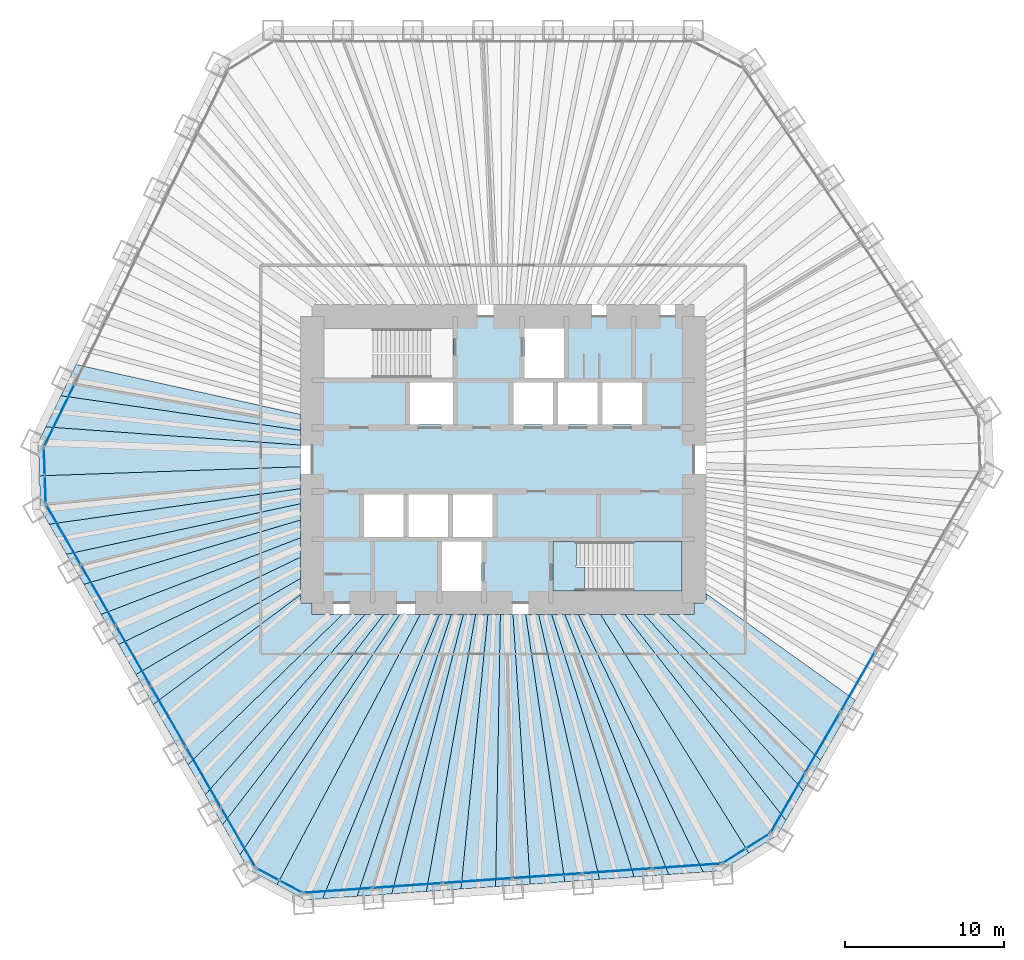
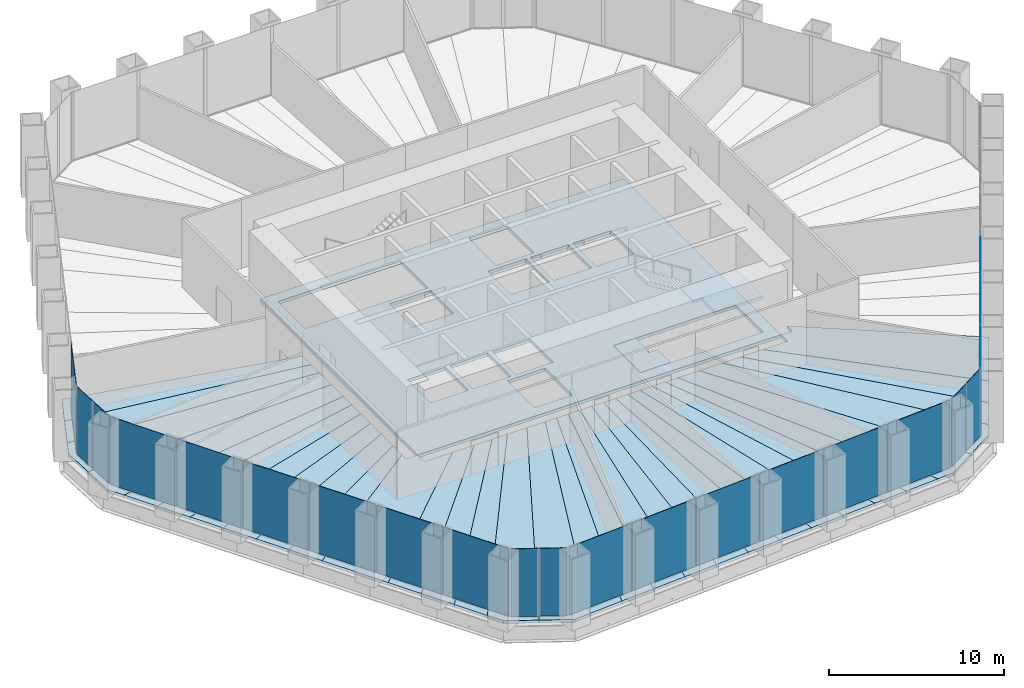
# One storey, part 8 of 13: 35 slabs, 22 plates, 8 elements without a shape of their own.
"""IFC4 building model written with IfcOpenShell, lengths in metres."""

from ifc_helpers import new_model, si_unit, direction, frame, origin, origin_2d, place, context, subcontext, project, spatial, polyline, rectangle, outline, extrude, material, layer, layer_set, type_object, element, aggregate, save


model = new_model("IFC4")

# Units and contexts
model_context = context("Model", 3, precision=1e-05, world=origin(), true_north=direction((0.0, 1.0)))
body_context = subcontext(model_context, "Body", "Model", "MODEL_VIEW")
ifc_project = project(units=[si_unit("LENGTHUNIT", "METRE"), si_unit("AREAUNIT", "SQUARE_METRE"), si_unit("VOLUMEUNIT", "CUBIC_METRE"), si_unit("PLANEANGLEUNIT", "RADIAN"), si_unit("MASSUNIT", "GRAM", prefix="KILO")], contexts=[model_context])

# Site, building, storey
site_placement = place(None, origin())
site = spatial("IfcSite", under=ifc_project, at=site_placement, CompositionType="ELEMENT")
building_placement = place(site_placement, origin())
building = spatial("IfcBuilding", under=site, at=building_placement, Name="Qingtian Harvest Tower", CompositionType="ELEMENT")
storey_placement = place(building_placement, frame((0.0, 0.0, 32.0)))
storey = spatial("IfcBuildingStorey", under=building, at=storey_placement, Name="L06", CompositionType="ELEMENT", Elevation=32.0)

# Slabs
ifc_material_1 = material(Name="Concrete fc' 35 MPa", Category="concrete")
ifc_layer_1 = layer(ifc_material_1, 0.199951171875)
ifc_layer_set_1 = layer_set([ifc_layer_1], Name="Composite floor slab FS20 200")
slab_type_1 = type_object("IfcSlabType", Name="Composite floor slab FS20 200", PredefinedType="FLOOR", material=ifc_layer_set_1)
slab_1_placement = place(storey_placement, frame((0.0, 0.0, -0.199951171875)))
element("IfcSlab", 1, at=slab_1_placement, inside=storey, type_object=slab_type_1, Name="Floor slab L06 panel D01", PredefinedType="FLOOR", context=body_context, shape_type="SweptSolid", body=[
    extrude(outline(polyline([(-29.157470703125, -1.018310546875), (-12.75, -0.447509765625), (-12.75, -1.822998046875), (-28.548583984375, -4.062255859375), (-29.08349609375, -3.135986328125), (-29.157470703125, -1.018310546875)])), origin(), (0.0, 0.0, 1.0), 0.199951171875),
])
slab_2_placement = place(storey_placement, frame((0.0, 0.0, -0.199951171875)))
element("IfcSlab", 2, at=slab_2_placement, inside=storey, type_object=slab_type_1, Name="Floor slab L06 panel D02", PredefinedType="FLOOR", context=body_context, shape_type="SweptSolid", body=[
    extrude(outline(polyline([(-12.75, -2.773681640625), (-27.45751953125, -5.9521484375), (-28.548583984375, -4.062255859375), (-12.75, -1.822998046875), (-12.75, -2.773681640625)])), origin(), (0.0, 0.0, 1.0), 0.199951171875),
])
slab_3_placement = place(storey_placement, frame((0.0, 0.0, -0.199951171875)))
element("IfcSlab", 3, at=slab_3_placement, inside=storey, type_object=slab_type_1, Name="Floor slab L06 panel D03", PredefinedType="FLOOR", context=body_context, shape_type="SweptSolid", body=[
    extrude(outline(polyline([(-12.75, -3.80322265625), (-26.366455078125, -7.842041015625), (-27.45751953125, -5.9521484375), (-12.75, -2.773681640625), (-12.75, -3.80322265625)])), origin(), (0.0, 0.0, 1.0), 0.199951171875),
])
slab_4_placement = place(storey_placement, frame((0.0, 0.0, -0.199951171875)))
element("IfcSlab", 4, at=slab_4_placement, inside=storey, type_object=slab_type_1, Name="Floor slab L06 panel D04", PredefinedType="FLOOR", context=body_context, shape_type="SweptSolid", body=[
    extrude(outline(polyline([(-12.75, -4.921875), (-25.275146484375, -9.732177734375), (-26.366455078125, -7.842041015625), (-12.75, -3.80322265625), (-12.75, -4.921875)])), origin(), (0.0, 0.0, 1.0), 0.199951171875),
])
slab_5_placement = place(storey_placement, frame((0.0, 0.0, -0.199951171875)))
element("IfcSlab", 5, at=slab_5_placement, inside=storey, type_object=slab_type_1, Name="Floor slab L06 panel D05", PredefinedType="FLOOR", context=body_context, shape_type="SweptSolid", body=[
    extrude(outline(polyline([(-12.75, -6.141357421875), (-24.18408203125, -11.6220703125), (-25.275146484375, -9.732177734375), (-12.75, -4.921875), (-12.75, -6.141357421875)])), origin(), (0.0, 0.0, 1.0), 0.199951171875),
])
slab_6_placement = place(storey_placement, frame((0.0, 0.0, -0.199951171875)))
element("IfcSlab", 6, at=slab_6_placement, inside=storey, type_object=slab_type_1, Name="Floor slab L06 panel D06", PredefinedType="FLOOR", context=body_context, shape_type="SweptSolid", body=[
    extrude(outline(polyline([(-12.75, -7.4765625), (-23.0927734375, -13.511962890625), (-24.18408203125, -11.6220703125), (-12.75, -6.141357421875), (-12.75, -7.4765625)])), origin(), (0.0, 0.0, 1.0), 0.199951171875),
])
slab_7_placement = place(storey_placement, frame((0.0, 0.0, -0.199951171875)))
element("IfcSlab", 7, at=slab_7_placement, inside=storey, type_object=slab_type_1, Name="Floor slab L06 panel D07", PredefinedType="FLOOR", context=body_context, shape_type="SweptSolid", body=[
    extrude(outline(polyline([(-12.75, -8.512451171875), (-22.00537109375, -15.3955078125), (-23.0927734375, -13.511962890625), (-12.75, -7.4765625), (-12.75, -8.512451171875)])), origin(), (0.0, 0.0, 1.0), 0.199951171875),
])
slab_8_placement = place(storey_placement, frame((0.0, 0.0, -0.199951171875)))
element("IfcSlab", 8, at=slab_8_placement, inside=storey, type_object=slab_type_1, Name="Floor slab L06 panel D09", PredefinedType="FLOOR", context=body_context, shape_type="SweptSolid", body=[
    extrude(outline(polyline([(-19.81982421875, -19.18115234375), (-22.00537109375, -15.3955078125), (-12.75, -8.512451171875), (-12.75, -9.0), (-12.0, -9.0), (-12.0, -9.75), (-10.1123046875, -9.75), (-19.81982421875, -19.18115234375)])), origin(), (0.0, 0.0, 1.0), 0.199951171875),
])
slab_9_placement = place(storey_placement, frame((0.0, 0.0, -0.199951171875)))
element("IfcSlab", 9, at=slab_9_placement, inside=storey, type_object=slab_type_1, Name="Floor slab L06 panel D10", PredefinedType="FLOOR", context=body_context, shape_type="SweptSolid", body=[
    extrude(outline(polyline([(-8.694580078125, -9.75), (-18.728515625, -21.0712890625), (-19.81982421875, -19.18115234375), (-10.1123046875, -9.75), (-8.694580078125, -9.75)])), origin(), (0.0, 0.0, 1.0), 0.199951171875),
])
slab_10_placement = place(storey_placement, frame((0.0, 0.0, -0.199951171875)))
element("IfcSlab", 10, at=slab_10_placement, inside=storey, type_object=slab_type_1, Name="Floor slab L06 panel D11", PredefinedType="FLOOR", context=body_context, shape_type="SweptSolid", body=[
    extrude(outline(polyline([(-7.511474609375, -9.75), (-17.63720703125, -22.961181640625), (-18.728515625, -21.0712890625), (-8.694580078125, -9.75), (-7.511474609375, -9.75)])), origin(), (0.0, 0.0, 1.0), 0.199951171875),
])
slab_11_placement = place(storey_placement, frame((0.0, 0.0, -0.199951171875)))
element("IfcSlab", 11, at=slab_11_placement, inside=storey, type_object=slab_type_1, Name="Floor slab L06 panel D12", PredefinedType="FLOOR", context=body_context, shape_type="SweptSolid", body=[
    extrude(outline(polyline([(-6.509033203125, -9.75), (-16.546142578125, -24.851318359375), (-17.63720703125, -22.961181640625), (-7.511474609375, -9.75), (-6.509033203125, -9.75)])), origin(), (0.0, 0.0, 1.0), 0.199951171875),
])
slab_12_placement = place(storey_placement, frame((0.0, 0.0, -0.199951171875)))
element("IfcSlab", 12, at=slab_12_placement, inside=storey, type_object=slab_type_1, Name="Floor slab L06 panel D13", PredefinedType="FLOOR", context=body_context, shape_type="SweptSolid", body=[
    extrude(outline(polyline([(-6.509033203125, -9.75), (-5.213623046875, -9.75), (-14.214599609375, -26.73291015625), (-16.01123046875, -25.777587890625), (-16.546142578125, -24.851318359375), (-6.509033203125, -9.75)])), origin(), (0.0, 0.0, 1.0), 0.199951171875),
])
slab_13_placement = place(storey_placement, frame((0.0, 0.0, -0.199951171875)))
element("IfcSlab", 13, at=slab_13_placement, inside=storey, type_object=slab_type_1, Name="Floor slab L06 panel D14", PredefinedType="FLOOR", context=body_context, shape_type="SweptSolid", body=[
    extrude(outline(polyline([(-5.213623046875, -9.75), (-4.006591796875, -9.75), (-11.350341796875, -27.614013671875), (-12.417236328125, -27.688720703125), (-14.214599609375, -26.73291015625), (-5.213623046875, -9.75)])), origin(), (0.0, 0.0, 1.0), 0.199951171875),
])
slab_14_placement = place(storey_placement, frame((0.0, 0.0, -0.199951171875)))
element("IfcSlab", 14, at=slab_14_placement, inside=storey, type_object=slab_type_1, Name="Floor slab L06 panel D15", PredefinedType="FLOOR", context=body_context, shape_type="SweptSolid", body=[
    extrude(outline(polyline([(-3.255859375, -9.75), (-9.17333984375, -27.4619140625), (-11.350341796875, -27.614013671875), (-4.006591796875, -9.75), (-3.255859375, -9.75)])), origin(), (0.0, 0.0, 1.0), 0.199951171875),
])
slab_15_placement = place(storey_placement, frame((0.0, 0.0, -0.199951171875)))
element("IfcSlab", 15, at=slab_15_placement, inside=storey, type_object=slab_type_1, Name="Floor slab L06 panel D16", PredefinedType="FLOOR", context=body_context, shape_type="SweptSolid", body=[
    extrude(outline(polyline([(-2.496826171875, -9.75), (-6.996337890625, -27.3095703125), (-9.17333984375, -27.4619140625), (-3.255859375, -9.75), (-2.496826171875, -9.75)])), origin(), (0.0, 0.0, 1.0), 0.199951171875),
])
slab_16_placement = place(storey_placement, frame((0.0, 0.0, -0.199951171875)))
element("IfcSlab", 16, at=slab_16_placement, inside=storey, type_object=slab_type_1, Name="Floor slab L06 panel D17", PredefinedType="FLOOR", context=body_context, shape_type="SweptSolid", body=[
    extrude(outline(polyline([(-1.729248046875, -9.75), (-4.8193359375, -27.1572265625), (-6.996337890625, -27.3095703125), (-2.496826171875, -9.75), (-1.729248046875, -9.75)])), origin(), (0.0, 0.0, 1.0), 0.199951171875),
])
slab_17_placement = place(storey_placement, frame((0.0, 0.0, -0.199951171875)))
element("IfcSlab", 17, at=slab_17_placement, inside=storey, type_object=slab_type_1, Name="Floor slab L06 panel D18", PredefinedType="FLOOR", context=body_context, shape_type="SweptSolid", body=[
    extrude(outline(polyline([(-0.952880859375, -9.75), (-2.642333984375, -27.005126953125), (-4.8193359375, -27.1572265625), (-1.729248046875, -9.75), (-0.952880859375, -9.75)])), origin(), (0.0, 0.0, 1.0), 0.199951171875),
])
slab_18_placement = place(storey_placement, frame((0.0, 0.0, -0.199951171875)))
element("IfcSlab", 18, at=slab_18_placement, inside=storey, type_object=slab_type_1, Name="Floor slab L06 panel D19", PredefinedType="FLOOR", context=body_context, shape_type="SweptSolid", body=[
    extrude(outline(polyline([(-0.16796875, -9.75), (-0.46533203125, -26.852783203125), (-2.642333984375, -27.005126953125), (-0.952880859375, -9.75), (-0.16796875, -9.75)])), origin(), (0.0, 0.0, 1.0), 0.199951171875),
])
slab_19_placement = place(storey_placement, frame((0.0, 0.0, -0.199951171875)))
element("IfcSlab", 19, at=slab_19_placement, inside=storey, type_object=slab_type_1, Name="Floor slab L06 panel D20", PredefinedType="FLOOR", context=body_context, shape_type="SweptSolid", body=[
    extrude(outline(polyline([(0.626220703125, -9.75), (1.711669921875, -26.70068359375), (-0.46533203125, -26.852783203125), (-0.16796875, -9.75), (0.626220703125, -9.75)])), origin(), (0.0, 0.0, 1.0), 0.199951171875),
])
slab_20_placement = place(storey_placement, frame((0.0, 0.0, -0.199951171875)))
element("IfcSlab", 20, at=slab_20_placement, inside=storey, type_object=slab_type_1, Name="Floor slab L06 panel D21", PredefinedType="FLOOR", context=body_context, shape_type="SweptSolid", body=[
    extrude(outline(polyline([(1.42919921875, -9.75), (3.888671875, -26.54833984375), (1.711669921875, -26.70068359375), (0.626220703125, -9.75), (1.42919921875, -9.75)])), origin(), (0.0, 0.0, 1.0), 0.199951171875),
])
slab_21_placement = place(storey_placement, frame((0.0, 0.0, -0.199951171875)))
element("IfcSlab", 21, at=slab_21_placement, inside=storey, type_object=slab_type_1, Name="Floor slab L06 panel D22", PredefinedType="FLOOR", context=body_context, shape_type="SweptSolid", body=[
    extrude(outline(polyline([(2.24169921875, -9.75), (6.065673828125, -26.396240234375), (3.888671875, -26.54833984375), (1.42919921875, -9.75), (2.24169921875, -9.75)])), origin(), (0.0, 0.0, 1.0), 0.199951171875),
])
slab_22_placement = place(storey_placement, frame((0.0, 0.0, -0.199951171875)))
element("IfcSlab", 22, at=slab_22_placement, inside=storey, type_object=slab_type_1, Name="Floor slab L06 panel D23", PredefinedType="FLOOR", context=body_context, shape_type="SweptSolid", body=[
    extrude(outline(polyline([(3.0634765625, -9.75), (8.24267578125, -26.243896484375), (6.065673828125, -26.396240234375), (2.24169921875, -9.75), (3.0634765625, -9.75)])), origin(), (0.0, 0.0, 1.0), 0.199951171875),
])
slab_23_placement = place(storey_placement, frame((0.0, 0.0, -0.199951171875)))
element("IfcSlab", 23, at=slab_23_placement, inside=storey, type_object=slab_type_1, Name="Floor slab L06 panel D24", PredefinedType="FLOOR", context=body_context, shape_type="SweptSolid", body=[
    extrude(outline(polyline([(3.894775390625, -9.75), (10.419677734375, -26.091796875), (8.24267578125, -26.243896484375), (3.0634765625, -9.75), (3.894775390625, -9.75)])), origin(), (0.0, 0.0, 1.0), 0.199951171875),
])
slab_24_placement = place(storey_placement, frame((0.0, 0.0, -0.199951171875)))
element("IfcSlab", 24, at=slab_24_placement, inside=storey, type_object=slab_type_1, Name="Floor slab L06 panel D25", PredefinedType="FLOOR", context=body_context, shape_type="SweptSolid", body=[
    extrude(outline(polyline([(4.736083984375, -9.75), (12.5966796875, -25.939453125), (10.419677734375, -26.091796875), (3.894775390625, -9.75), (4.736083984375, -9.75)])), origin(), (0.0, 0.0, 1.0), 0.199951171875),
])
slab_25_placement = place(storey_placement, frame((0.0, 0.0, -0.199951171875)))
element("IfcSlab", 25, at=slab_25_placement, inside=storey, type_object=slab_type_1, Name="Floor slab L06 panel D26", PredefinedType="FLOOR", context=body_context, shape_type="SweptSolid", body=[
    extrude(outline(polyline([(4.736083984375, -9.75), (6.136474609375, -9.75), (15.4609375, -24.74169921875), (13.663330078125, -25.864990234375), (12.5966796875, -25.939453125), (4.736083984375, -9.75)])), origin(), (0.0, 0.0, 1.0), 0.199951171875),
])
slab_26_placement = place(storey_placement, frame((0.0, 0.0, -0.199951171875)))
element("IfcSlab", 26, at=slab_26_placement, inside=storey, type_object=slab_type_1, Name="Floor slab L06 panel D27", PredefinedType="FLOOR", context=body_context, shape_type="SweptSolid", body=[
    extrude(outline(polyline([(6.136474609375, -9.75), (7.66748046875, -9.75), (17.79248046875, -22.692626953125), (17.257568359375, -23.618896484375), (15.4609375, -24.74169921875), (6.136474609375, -9.75)])), origin(), (0.0, 0.0, 1.0), 0.199951171875),
])
slab_27_placement = place(storey_placement, frame((0.0, 0.0, -0.199951171875)))
element("IfcSlab", 27, at=slab_27_placement, inside=storey, type_object=slab_type_1, Name="Floor slab L06 panel D28", PredefinedType="FLOOR", context=body_context, shape_type="SweptSolid", body=[
    extrude(outline(polyline([(8.88037109375, -9.75), (18.883544921875, -20.802734375), (17.79248046875, -22.692626953125), (7.66748046875, -9.75), (8.88037109375, -9.75)])), origin(), (0.0, 0.0, 1.0), 0.199951171875),
])
slab_28_placement = place(storey_placement, frame((0.0, 0.0, -0.199951171875)))
element("IfcSlab", 28, at=slab_28_placement, inside=storey, type_object=slab_type_1, Name="Floor slab L06 panel D29", PredefinedType="FLOOR", context=body_context, shape_type="SweptSolid", body=[
    extrude(outline(polyline([(10.337158203125, -9.75), (19.974853515625, -18.91259765625), (18.883544921875, -20.802734375), (8.88037109375, -9.75), (10.337158203125, -9.75)])), origin(), (0.0, 0.0, 1.0), 0.199951171875),
])
slab_29_placement = place(storey_placement, frame((0.0, 0.0, -0.199951171875)))
element("IfcSlab", 29, at=slab_29_placement, inside=storey, type_object=slab_type_1, Name="Floor slab L06 panel D31", PredefinedType="FLOOR", context=body_context, shape_type="SweptSolid", body=[
    extrude(outline(polyline([(12.75, -8.4091796875), (22.159423828125, -15.128662109375), (19.974853515625, -18.91259765625), (10.337158203125, -9.75), (12.0, -9.75), (12.0, -9.0), (12.75, -9.0), (12.75, -8.4091796875)])), origin(), (0.0, 0.0, 1.0), 0.199951171875),
])
slab_30_placement = place(storey_placement, frame((0.0, 0.0, -0.199951171875)))
element("IfcSlab", 30, at=slab_30_placement, inside=storey, type_object=slab_type_1, Name="Floor slab L06 panel D76", PredefinedType="FLOOR", context=body_context, shape_type="SweptSolid", body=[
    extrude(outline(polyline([(-12.75, 1.8525390625), (-27.805908203125, 4.022216796875), (-26.84912109375, 5.98388671875), (-12.75, 2.8505859375), (-12.75, 1.8525390625)])), origin(), (0.0, 0.0, 1.0), 0.199951171875),
])
slab_31_placement = place(storey_placement, frame((0.0, 0.0, -0.199951171875)))
element("IfcSlab", 31, at=slab_31_placement, inside=storey, type_object=slab_type_1, Name="Floor slab L06 panel D77", PredefinedType="FLOOR", context=body_context, shape_type="SweptSolid", body=[
    extrude(outline(polyline([(-12.75, 0.9208984375), (-28.762451171875, 2.060791015625), (-27.805908203125, 4.022216796875), (-12.75, 1.8525390625), (-12.75, 0.9208984375)])), origin(), (0.0, 0.0, 1.0), 0.199951171875),
])
slab_32_placement = place(storey_placement, frame((0.0, 0.0, -0.199951171875)))
element("IfcSlab", 32, at=slab_32_placement, inside=storey, type_object=slab_type_1, Name="Floor slab L06 panel D78", PredefinedType="FLOOR", context=body_context, shape_type="SweptSolid", body=[
    extrude(outline(polyline([(-12.75, 0.9208984375), (-12.75, -0.447509765625), (-29.157470703125, -1.018310546875), (-29.2314453125, 1.099609375), (-28.762451171875, 2.060791015625), (-12.75, 0.9208984375)])), origin(), (0.0, 0.0, 1.0), 0.199951171875),
])
ifc_material_2 = material(Name="Concrete fc' 35 MPa", Category="concrete")
ifc_layer_2 = layer(ifc_material_2, 0.219970703125)
ifc_layer_set_2 = layer_set([ifc_layer_2], Name="Core floor slab CS22 220")
slab_type_2 = type_object("IfcSlabType", Name="Core floor slab CS22 220", PredefinedType="FLOOR", material=ifc_layer_set_2)
slab_33_placement = place(storey_placement, frame((0.0, 0.0, -0.219970703125)))
element("IfcSlab", 33, at=slab_33_placement, inside=storey, type_object=slab_type_2, Name="Core floor slab L06", PredefinedType="FLOOR", context=body_context, shape_type="SweptSolid", body=[
    extrude(outline(polyline([(-12.0, -9.0), (12.0, -9.0), (12.0, 9.0), (-12.0, 9.0), (-12.0, -9.0)]), holes=[polyline([(-11.25, 5.14990234375), (-3.14990234375, 5.14990234375), (-3.14990234375, 8.25), (-11.25, 8.25), (-11.25, 5.14990234375)]), polyline([(3.14990234375, -8.25), (11.25, -8.25), (11.25, -5.14990234375), (3.14990234375, -5.14990234375), (3.14990234375, -8.25)]), polyline([(1.35009765625, 5.14990234375), (3.85009765625, 5.14990234375), (3.85009765625, 8.25), (1.35009765625, 8.25), (1.35009765625, 5.14990234375)]), polyline([(-3.85009765625, -8.25), (-1.35009765625, -8.25), (-1.35009765625, -5.14990234375), (-3.85009765625, -5.14990234375), (-3.85009765625, -8.25)]), polyline([(-5.85009765625, 2.199951171875), (-3.14990234375, 2.199951171875), (-3.14990234375, 4.85009765625), (-5.85009765625, 4.85009765625), (-5.85009765625, 2.199951171875)]), polyline([(0.64990234375, 2.199951171875), (3.14990234375, 2.199951171875), (3.14990234375, 4.85009765625), (0.64990234375, 4.85009765625), (0.64990234375, 2.199951171875)]), polyline([(3.449951171875, 2.199951171875), (5.949951171875, 2.199951171875), (5.949951171875, 4.85009765625), (3.449951171875, 4.85009765625), (3.449951171875, 2.199951171875)]), polyline([(6.25, 2.199951171875), (8.75, 2.199951171875), (8.75, 4.85009765625), (6.25, 4.85009765625), (6.25, 2.199951171875)]), polyline([(-8.75, -4.85009765625), (-6.25, -4.85009765625), (-6.25, -2.199951171875), (-8.75, -2.199951171875), (-8.75, -4.85009765625)]), polyline([(-5.949951171875, -4.85009765625), (-3.449951171875, -4.85009765625), (-3.449951171875, -2.199951171875), (-5.949951171875, -2.199951171875), (-5.949951171875, -4.85009765625)]), polyline([(-3.14990234375, -4.85009765625), (-0.64990234375, -4.85009765625), (-0.64990234375, -2.199951171875), (-3.14990234375, -2.199951171875), (-3.14990234375, -4.85009765625)])]), origin(), (0.0, 0.0, 1.0), 0.219970703125),
])

# Curtain wall, plates
ifc_material_3 = material(Name="Bronze-anodised aluminium curtain wall", Category="aluminium")
curtain_wall_type = type_object("IfcCurtainWallType", Name="Curtain wall CW2 farm reception", PredefinedType="USERDEFINED", material=ifc_material_3)
curtain_wall_1_placement = place(storey_placement, origin())
curtain_wall_1 = element("IfcCurtainWall", 34, at=curtain_wall_1_placement, inside=storey, type_object=curtain_wall_type, Name="Curtain wall CW2 L06 SE0-5", ObjectType="RECESSED CURTAIN WALL", PredefinedType="USERDEFINED")
ifc_material_4 = material(Name="Bronze-tinted laminated insulating glass", Category="glass")
ifc_layer_3 = layer(ifc_material_4, 0.030029296875)
ifc_layer_set_3 = layer_set([ifc_layer_3], Name="Glazed panel CWP tinted IGU")
plate_type = type_object("IfcPlateType", Name="Glazed panel CWP tinted IGU", PredefinedType="CURTAIN_PANEL", material=ifc_layer_set_3)
plate_1_placement = place(storey_placement, frame((22.30419921875, -13.968017578125, 0.06494140625), z_axis=(0.0, 0.0, 1.0), x_axis=(-0.5, -0.866025403784, 0.0)))
plate_1 = element("IfcPlate", 35, at=plate_1_placement, type_object=plate_type, Name="CW2 panel 4.1", PredefinedType="CURTAIN_PANEL", context=body_context, shape_type="SweptSolid", body=[
    extrude(rectangle(XDim=4.339599609375, YDim=0.030029296875, at=origin_2d()), origin(), (0.0, 0.0, 1.0), 4.735107421875),
])
plate_2_placement = place(storey_placement, frame((20.101806640625, -17.782470703125, 0.06494140625), z_axis=(0.0, 0.0, 1.0), x_axis=(-0.5, -0.866025403784, 0.0)))
plate_2 = element("IfcPlate", 36, at=plate_2_placement, type_object=plate_type, Name="CW2 panel 5.1", PredefinedType="CURTAIN_PANEL", context=body_context, shape_type="SweptSolid", body=[
    extrude(rectangle(XDim=4.339599609375, YDim=0.030029296875, at=origin_2d()), origin(), (0.0, 0.0, 1.0), 4.735107421875),
])
plate_3_placement = place(storey_placement, frame((17.90771484375, -21.5830078125, 0.06494140625), z_axis=(0.0, 0.0, 1.0), x_axis=(-0.5, -0.866025403784, 0.0)))
plate_3 = element("IfcPlate", 37, at=plate_3_placement, type_object=plate_type, Name="CW2 panel 6.1", PredefinedType="CURTAIN_PANEL", context=body_context, shape_type="SweptSolid", body=[
    extrude(rectangle(XDim=4.30712890625, YDim=0.030029296875, at=origin_2d()), origin(), (0.0, 0.0, 1.0), 4.735107421875),
])
aggregate(curtain_wall_1, [plate_1, plate_2, plate_3])

curtain_wall_2_placement = place(storey_placement, origin())
curtain_wall_2 = element("IfcCurtainWall", 38, at=curtain_wall_2_placement, inside=storey, type_object=curtain_wall_type, Name="Curtain wall CW2 L06 SEC", ObjectType="RECESSED CURTAIN WALL", PredefinedType="USERDEFINED")
plate_4_placement = place(storey_placement, frame((16.025390625, -23.9873046875, 0.06494140625), z_axis=(0.0, 0.0, 1.0), x_axis=(-0.848048096156, -0.529919264233, 0.0)))
plate_4 = element("IfcPlate", 39, at=plate_4_placement, type_object=plate_type, Name="CW2 panel 1.1", PredefinedType="CURTAIN_PANEL", context=body_context, shape_type="SweptSolid", body=[
    extrude(rectangle(XDim=1.69287109375, YDim=0.030029296875, at=origin_2d()), origin(), (0.0, 0.0, 1.0), 4.735107421875),
])
plate_5_placement = place(storey_placement, frame((14.53466796875, -24.9189453125, 0.06494140625), z_axis=(0.0, 0.0, 1.0), x_axis=(-0.848048096156, -0.529919264233, 0.0)))
plate_5 = element("IfcPlate", 40, at=plate_5_placement, type_object=plate_type, Name="CW2 panel 2.1", PredefinedType="CURTAIN_PANEL", context=body_context, shape_type="SweptSolid", body=[
    extrude(rectangle(XDim=1.69287109375, YDim=0.030029296875, at=origin_2d()), origin(), (0.0, 0.0, 1.0), 4.735107421875),
])
aggregate(curtain_wall_2, [plate_4, plate_5])

curtain_wall_3_placement = place(storey_placement, origin())
curtain_wall_3 = element("IfcCurtainWall", 41, at=curtain_wall_3_placement, inside=storey, type_object=curtain_wall_type, Name="Curtain wall CW2 L06 S0-5", ObjectType="RECESSED CURTAIN WALL", PredefinedType="USERDEFINED")
plate_6_placement = place(storey_placement, frame((11.548583984375, -25.556640625, 0.06494140625), z_axis=(0.0, 0.0, 1.0), x_axis=(-0.99756405026, -0.069756473744, 0.0)))
plate_6 = element("IfcPlate", 42, at=plate_6_placement, type_object=plate_type, Name="CW2 panel 1.1", PredefinedType="CURTAIN_PANEL", context=body_context, shape_type="SweptSolid", body=[
    extrude(rectangle(XDim=4.30712890625, YDim=0.030029296875, at=origin_2d()), origin(), (0.0, 0.0, 1.0), 4.735107421875),
])
plate_7_placement = place(storey_placement, frame((7.1708984375, -25.86279296875, 0.06494140625), z_axis=(0.0, 0.0, 1.0), x_axis=(-0.99756405026, -0.069756473744, 0.0)))
plate_7 = element("IfcPlate", 43, at=plate_7_placement, type_object=plate_type, Name="CW2 panel 2.1", PredefinedType="CURTAIN_PANEL", context=body_context, shape_type="SweptSolid", body=[
    extrude(rectangle(XDim=4.339599609375, YDim=0.030029296875, at=origin_2d()), origin(), (0.0, 0.0, 1.0), 4.735107421875),
])
plate_8_placement = place(storey_placement, frame((2.77685546875, -26.169921875, 0.06494140625), z_axis=(0.0, 0.0, 1.0), x_axis=(-0.99756405026, -0.069756473744, 0.0)))
plate_8 = element("IfcPlate", 44, at=plate_8_placement, type_object=plate_type, Name="CW2 panel 3.1", PredefinedType="CURTAIN_PANEL", context=body_context, shape_type="SweptSolid", body=[
    extrude(rectangle(XDim=4.339599609375, YDim=0.030029296875, at=origin_2d()), origin(), (0.0, 0.0, 1.0), 4.735107421875),
])
plate_9_placement = place(storey_placement, frame((-1.616943359375, -26.477294921875, 0.06494140625), z_axis=(0.0, 0.0, 1.0), x_axis=(-0.99756405026, -0.069756473744, 0.0)))
plate_9 = element("IfcPlate", 45, at=plate_9_placement, type_object=plate_type, Name="CW2 panel 4.1", PredefinedType="CURTAIN_PANEL", context=body_context, shape_type="SweptSolid", body=[
    extrude(rectangle(XDim=4.339599609375, YDim=0.030029296875, at=origin_2d()), origin(), (0.0, 0.0, 1.0), 4.735107421875),
])
plate_10_placement = place(storey_placement, frame((-6.0107421875, -26.784423828125, 0.06494140625), z_axis=(0.0, 0.0, 1.0), x_axis=(-0.99756405026, -0.069756473744, 0.0)))
plate_10 = element("IfcPlate", 46, at=plate_10_placement, type_object=plate_type, Name="CW2 panel 5.1", PredefinedType="CURTAIN_PANEL", context=body_context, shape_type="SweptSolid", body=[
    extrude(rectangle(XDim=4.339599609375, YDim=0.030029296875, at=origin_2d()), origin(), (0.0, 0.0, 1.0), 4.735107421875),
])
plate_11_placement = place(storey_placement, frame((-10.388427734375, -27.090576171875, 0.06494140625), z_axis=(0.0, 0.0, 1.0), x_axis=(-0.99756405026, -0.069756473744, 0.0)))
plate_11 = element("IfcPlate", 47, at=plate_11_placement, type_object=plate_type, Name="CW2 panel 6.1", PredefinedType="CURTAIN_PANEL", context=body_context, shape_type="SweptSolid", body=[
    extrude(rectangle(XDim=4.30712890625, YDim=0.030029296875, at=origin_2d()), origin(), (0.0, 0.0, 1.0), 4.735107421875),
])
aggregate(curtain_wall_3, [plate_6, plate_7, plate_8, plate_9, plate_10, plate_11])

curtain_wall_4_placement = place(storey_placement, origin())
curtain_wall_4 = element("IfcCurtainWall", 48, at=curtain_wall_4_placement, inside=storey, type_object=curtain_wall_type, Name="Curtain wall CW2 L06 SC", ObjectType="RECESSED CURTAIN WALL", PredefinedType="USERDEFINED")
plate_12_placement = place(storey_placement, frame((-13.350830078125, -26.84716796875, 0.06494140625), z_axis=(0.0, 0.0, 1.0), x_axis=(-0.882947592859, 0.469471562786, 0.0)))
plate_12 = element("IfcPlate", 49, at=plate_12_placement, type_object=plate_type, Name="CW2 panel 1.1", PredefinedType="CURTAIN_PANEL", context=body_context, shape_type="SweptSolid", body=[
    extrude(rectangle(XDim=1.56689453125, YDim=0.030029296875, at=origin_2d()), origin(), (0.0, 0.0, 1.0), 4.735107421875),
])
plate_13_placement = place(storey_placement, frame((-14.79150390625, -26.0810546875, 0.06494140625), z_axis=(0.0, 0.0, 1.0), x_axis=(-0.882947592859, 0.469471562786, 0.0)))
plate_13 = element("IfcPlate", 50, at=plate_13_placement, type_object=plate_type, Name="CW2 panel 2.1", PredefinedType="CURTAIN_PANEL", context=body_context, shape_type="SweptSolid", body=[
    extrude(rectangle(XDim=1.56689453125, YDim=0.030029296875, at=origin_2d()), origin(), (0.0, 0.0, 1.0), 4.735107421875),
])
aggregate(curtain_wall_4, [plate_12, plate_13])

curtain_wall_5_placement = place(storey_placement, origin())
curtain_wall_5 = element("IfcCurtainWall", 51, at=curtain_wall_5_placement, inside=storey, type_object=curtain_wall_type, Name="Curtain wall CW2 L06 SW0-5", ObjectType="RECESSED CURTAIN WALL", PredefinedType="USERDEFINED")
plate_14_placement = place(storey_placement, frame((-16.64990234375, -23.76123046875, 0.06494140625), z_axis=(0.0, 0.0, 1.0), x_axis=(-0.5, 0.866025403784, 0.0)))
plate_14 = element("IfcPlate", 52, at=plate_14_placement, type_object=plate_type, Name="CW2 panel 1.1", PredefinedType="CURTAIN_PANEL", context=body_context, shape_type="SweptSolid", body=[
    extrude(rectangle(XDim=4.30712890625, YDim=0.030029296875, at=origin_2d()), origin(), (0.0, 0.0, 1.0), 4.735107421875),
])
plate_15_placement = place(storey_placement, frame((-18.84423828125, -19.9609375, 0.06494140625), z_axis=(0.0, 0.0, 1.0), x_axis=(-0.5, 0.866025403784, 0.0)))
plate_15 = element("IfcPlate", 53, at=plate_15_placement, type_object=plate_type, Name="CW2 panel 2.1", PredefinedType="CURTAIN_PANEL", context=body_context, shape_type="SweptSolid", body=[
    extrude(rectangle(XDim=4.339599609375, YDim=0.030029296875, at=origin_2d()), origin(), (0.0, 0.0, 1.0), 4.735107421875),
])
plate_16_placement = place(storey_placement, frame((-21.04638671875, -16.146484375, 0.06494140625), z_axis=(0.0, 0.0, 1.0), x_axis=(-0.5, 0.866025403784, 0.0)))
plate_16 = element("IfcPlate", 54, at=plate_16_placement, type_object=plate_type, Name="CW2 panel 3.1", PredefinedType="CURTAIN_PANEL", context=body_context, shape_type="SweptSolid", body=[
    extrude(rectangle(XDim=4.339599609375, YDim=0.030029296875, at=origin_2d()), origin(), (0.0, 0.0, 1.0), 4.735107421875),
])
plate_17_placement = place(storey_placement, frame((-23.248779296875, -12.33203125, 0.06494140625), z_axis=(0.0, 0.0, 1.0), x_axis=(-0.5, 0.866025403784, 0.0)))
plate_17 = element("IfcPlate", 55, at=plate_17_placement, type_object=plate_type, Name="CW2 panel 4.1", PredefinedType="CURTAIN_PANEL", context=body_context, shape_type="SweptSolid", body=[
    extrude(rectangle(XDim=4.339599609375, YDim=0.030029296875, at=origin_2d()), origin(), (0.0, 0.0, 1.0), 4.735107421875),
])
plate_18_placement = place(storey_placement, frame((-25.451171875, -8.517333984375, 0.06494140625), z_axis=(0.0, 0.0, 1.0), x_axis=(-0.5, 0.866025403784, 0.0)))
plate_18 = element("IfcPlate", 56, at=plate_18_placement, type_object=plate_type, Name="CW2 panel 5.1", PredefinedType="CURTAIN_PANEL", context=body_context, shape_type="SweptSolid", body=[
    extrude(rectangle(XDim=4.339599609375, YDim=0.030029296875, at=origin_2d()), origin(), (0.0, 0.0, 1.0), 4.735107421875),
])
plate_19_placement = place(storey_placement, frame((-27.645263671875, -4.717041015625, 0.06494140625), z_axis=(0.0, 0.0, 1.0), x_axis=(-0.5, 0.866025403784, 0.0)))
plate_19 = element("IfcPlate", 57, at=plate_19_placement, type_object=plate_type, Name="CW2 panel 6.1", PredefinedType="CURTAIN_PANEL", context=body_context, shape_type="SweptSolid", body=[
    extrude(rectangle(XDim=4.30712890625, YDim=0.030029296875, at=origin_2d()), origin(), (0.0, 0.0, 1.0), 4.735107421875),
])
aggregate(curtain_wall_5, [plate_14, plate_15, plate_16, plate_17, plate_18, plate_19])

curtain_wall_6_placement = place(storey_placement, origin())
curtain_wall_6 = element("IfcCurtainWall", 58, at=curtain_wall_6_placement, inside=storey, type_object=curtain_wall_type, Name="Curtain wall CW2 L06 SWC", ObjectType="RECESSED CURTAIN WALL", PredefinedType="USERDEFINED")
plate_20_placement = place(storey_placement, frame((-28.786376953125, -1.884765625, 0.06494140625), z_axis=(0.0, 0.0, 1.0), x_axis=(-0.034899496703, 0.999390827019, 0.0)))
plate_20 = element("IfcPlate", 59, at=plate_20_placement, type_object=plate_type, Name="CW2 panel 1.1", PredefinedType="CURTAIN_PANEL", context=body_context, shape_type="SweptSolid", body=[
    extrude(rectangle(XDim=1.69287109375, YDim=0.030029296875, at=origin_2d()), origin(), (0.0, 0.0, 1.0), 4.735107421875),
])
plate_21_placement = place(storey_placement, frame((-28.84765625, -0.1279296875, 0.06494140625), z_axis=(0.0, 0.0, 1.0), x_axis=(-0.034899496703, 0.999390827019, 0.0)))
plate_21 = element("IfcPlate", 60, at=plate_21_placement, type_object=plate_type, Name="CW2 panel 2.1", PredefinedType="CURTAIN_PANEL", context=body_context, shape_type="SweptSolid", body=[
    extrude(rectangle(XDim=1.69287109375, YDim=0.030029296875, at=origin_2d()), origin(), (0.0, 0.0, 1.0), 4.735107421875),
])
aggregate(curtain_wall_6, [plate_20, plate_21])

# Curtain wall, plate
curtain_wall_7_placement = place(storey_placement, origin())
curtain_wall_7 = element("IfcCurtainWall", 61, at=curtain_wall_7_placement, inside=storey, type_object=curtain_wall_type, Name="Curtain wall CW2 L06 NW0-5", ObjectType="RECESSED CURTAIN WALL", PredefinedType="USERDEFINED")
plate_22_placement = place(storey_placement, frame((-27.906982421875, 2.777099609375, 0.06494140625), z_axis=(0.0, 0.0, 1.0), x_axis=(0.438371146789, 0.898794046299, 0.0)))
plate_22 = element("IfcPlate", 62, at=plate_22_placement, type_object=plate_type, Name="CW2 panel 1.1", PredefinedType="CURTAIN_PANEL", context=body_context, shape_type="SweptSolid", body=[
    extrude(rectangle(XDim=4.30712890625, YDim=0.030029296875, at=origin_2d()), origin(), (0.0, 0.0, 1.0), 4.735107421875),
])
aggregate(curtain_wall_7, [plate_22])

# Stair, slabs
ifc_material_5 = material(Name="Concrete fc' 35 MPa", Category="concrete")
stair_type = type_object("IfcStairType", Name="Special stair ST2 5000", PredefinedType="HALF_TURN_STAIR", material=ifc_material_5)
stair_placement = place(storey_placement, origin())
stair = element("IfcStair", 63, at=stair_placement, inside=storey, type_object=stair_type, Name="Special stair S2 L06", PredefinedType="HALF_TURN_STAIR")
ifc_material_6 = material(Name="Concrete fc' 35 MPa", Category="concrete")
ifc_layer_4 = layer(ifc_material_6, 0.199951171875)
ifc_layer_set_4 = layer_set([ifc_layer_4], Name="Stair landing SL2 200")
slab_type_3 = type_object("IfcSlabType", Name="Stair landing SL2 200", PredefinedType="LANDING", material=ifc_layer_set_4)
slab_34_placement = place(storey_placement, frame((0.0, 0.0, -0.199951171875)))
slab_34 = element("IfcSlab", 64, at=slab_34_placement, type_object=slab_type_3, Name="S2 landing 1", PredefinedType="LANDING", context=body_context, shape_type="SweptSolid", body=[
    extrude(outline(polyline([(5.155029296875, -8.25), (3.14990234375, -8.25), (3.14990234375, -5.14990234375), (4.64990234375, -5.14990234375), (4.64990234375, -6.64990234375), (4.550048828125, -6.64990234375), (4.550048828125, -6.75), (5.155029296875, -6.75), (5.155029296875, -8.25)])), origin(), (0.0, 0.0, 1.0), 0.199951171875),
])
slab_35_placement = place(storey_placement, frame((0.0, 0.0, 2.300048828125)))
slab_35 = element("IfcSlab", 65, at=slab_35_placement, type_object=slab_type_3, Name="S2 landing 2", PredefinedType="LANDING", context=body_context, shape_type="SweptSolid", body=[
    extrude(outline(polyline([(8.090087890625, -8.25), (8.090087890625, -6.75), (8.18994140625, -6.75), (8.18994140625, -6.64990234375), (7.5849609375, -6.64990234375), (7.5849609375, -5.14990234375), (11.25, -5.14990234375), (11.25, -8.25), (8.090087890625, -8.25)])), origin(), (0.0, 0.0, 1.0), 0.199951171875),
])
aggregate(stair, [slab_34, slab_35])

save(model, "model.ifc")
